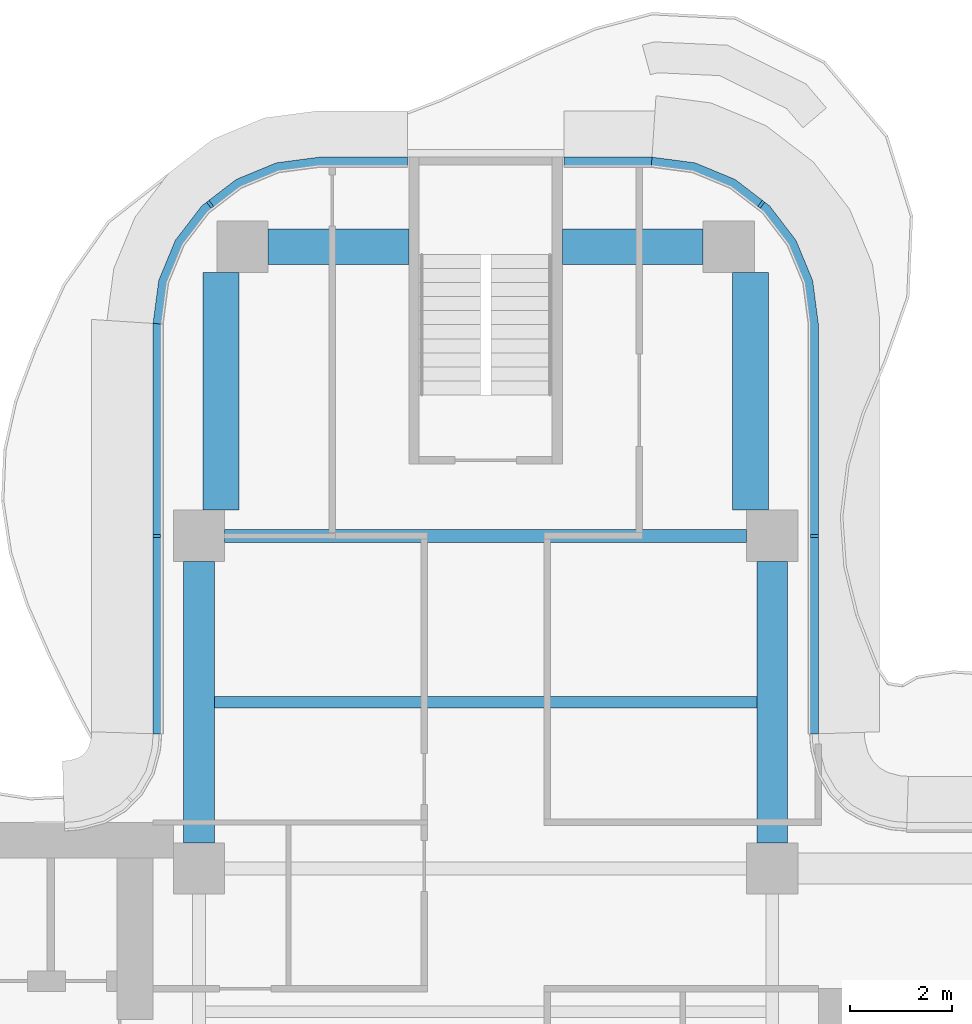
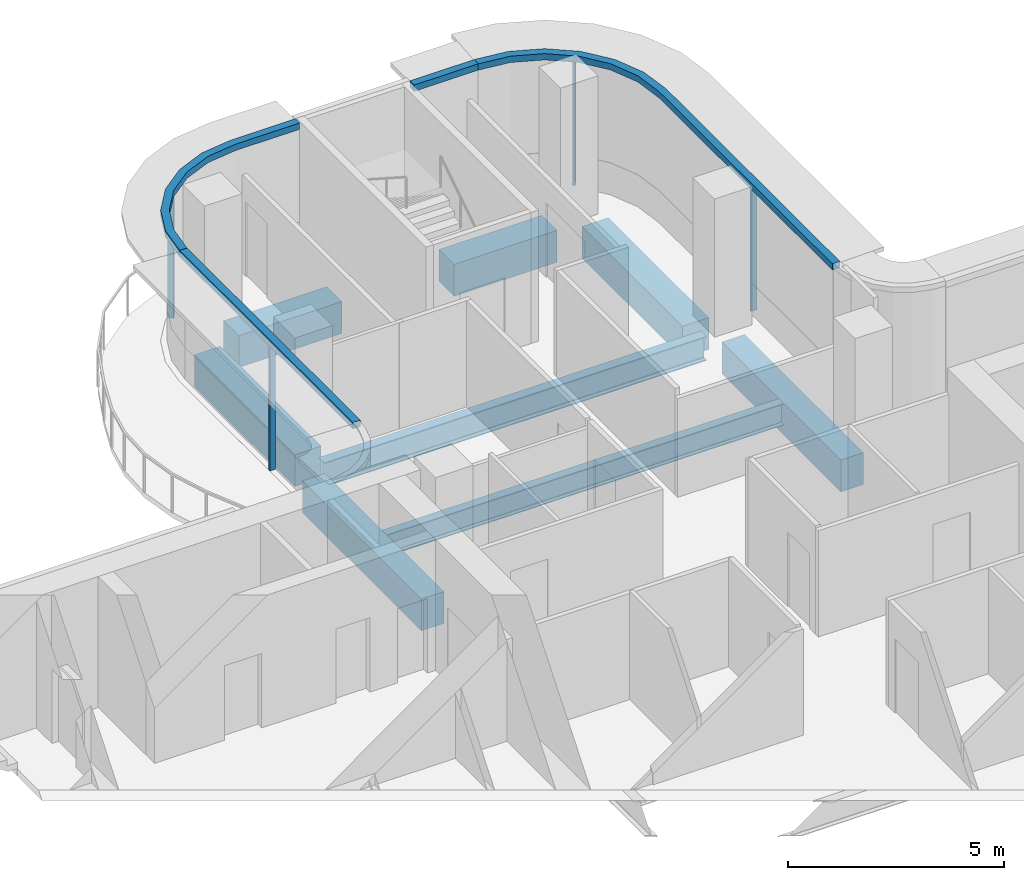
# One storey, part 7 of 16: 8 beams, 8 members, 4 elements without a shape of their own.
"""IFC4 building model written with IfcOpenShell, lengths in metres."""

import ifcopenshell
import ifcopenshell.guid

model = None  # the IFC model being written
_history = None  # IfcOwnerHistory: only IFC2X3 demands one
_inside = {}  # id of a spatial element -> (the spatial element, [elements in it])
_under = {}  # id of a project, library or spatial element -> (it, [spatial elements below it])
_declared = {}  # id of a project -> (the project, [libraries it declares])
_typed = {}  # id of a type object -> (the type object, [elements of that type])
_made_of = {}  # id of a material, layer set ... -> (it, [elements and type objects made of it])


def new_model(schema):
    """Start an empty IFC model of exactly this schema.

    Asked for "IFC4X3", IfcOpenShell would pick the latest addendum, in which some entities
    have other attributes; the version numbers below select the first issue.
    IFC2X3 requires an IfcOwnerHistory on every rooted entity: one is made here for all.
    """
    global model, _history
    if schema == "IFC4X3":
        model = ifcopenshell.file(schema_version=(4, 3, 0, 0))
    else:
        model = ifcopenshell.file(schema=schema)
    _inside.clear()
    _under.clear()
    _declared.clear()
    _typed.clear()
    _made_of.clear()
    _history = None
    if model.schema == "IFC2X3":
        org = make("IfcOrganization", Name="unknown")
        user = make(
            "IfcPersonAndOrganization",
            ThePerson=make("IfcPerson", FamilyName="unknown"),
            TheOrganization=org,
        )
        app = make(
            "IfcApplication",
            ApplicationDeveloper=org,
            Version="unknown",
            ApplicationFullName="unknown",
            ApplicationIdentifier="unknown",
        )
        _history = make(
            "IfcOwnerHistory",
            OwningUser=user,
            OwningApplication=app,
            ChangeAction="ADDED",
            CreationDate=0,
        )
    return model


def make(cls, **values):
    """One entity of the class cls with the attributes given. An attribute that is None is left unset."""
    return model.create_entity(
        cls, **{name: value for name, value in values.items() if value is not None}
    )


def rooted(cls, **values):
    """An entity with a GlobalId (a new one), such as an element, a storey or a relation."""
    return make(cls, GlobalId=ifcopenshell.guid.new(), OwnerHistory=_history, **values)


def si_unit(unit_type, name, prefix=None):
    """IfcSIUnit, for example si_unit("LENGTHUNIT", "METRE", prefix="MILLI")."""
    return make("IfcSIUnit", UnitType=unit_type, Prefix=prefix, Name=name)


def assignment(units):
    """IfcUnitAssignment: the units of a project."""
    return None if units is None else make("IfcUnitAssignment", Units=units)


def point(xyz):
    """IfcCartesianPoint."""
    return None if xyz is None else make("IfcCartesianPoint", Coordinates=xyz)


def direction(xyz):
    """IfcDirection."""
    return None if xyz is None else make("IfcDirection", DirectionRatios=xyz)


def frame(location, z_axis=None, x_axis=None):
    """IfcAxis2Placement3D, a coordinate frame: its origin and axes. An axis left out is left unset."""
    return make(
        "IfcAxis2Placement3D",
        Location=point(location),
        Axis=direction(z_axis),
        RefDirection=direction(x_axis),
    )


def frame_2d(location, x_axis=None):
    """IfcAxis2Placement2D, a coordinate frame in the plane: its origin and x axis."""
    return make(
        "IfcAxis2Placement2D", Location=point(location), RefDirection=direction(x_axis)
    )


def origin():
    """The frame at (0, 0, 0) with its axes left unset."""
    return frame((0.0, 0.0, 0.0))


def origin_2d():
    """The frame at (0, 0) in the plane with its x axis left unset."""
    return frame_2d((0.0, 0.0))


def place(relative_to, where):
    """IfcLocalPlacement: puts the frame where relative to a parent placement (None: the world)."""
    return make(
        "IfcLocalPlacement", PlacementRelTo=relative_to, RelativePlacement=where
    )


def context(
    kind, dimensions, precision=None, world=None, true_north=None, identifier=None
):
    """IfcGeometricRepresentationContext, for example the 3D "Model" context."""
    return make(
        "IfcGeometricRepresentationContext",
        ContextIdentifier=identifier,
        ContextType=kind,
        CoordinateSpaceDimension=dimensions,
        Precision=precision,
        WorldCoordinateSystem=world,
        TrueNorth=true_north,
    )


def subcontext(parent, identifier, kind, view, scale=None):
    """IfcGeometricRepresentationSubContext, for example "Body" below "Model"."""
    return make(
        "IfcGeometricRepresentationSubContext",
        ContextIdentifier=identifier,
        ContextType=kind,
        ParentContext=parent,
        TargetScale=scale,
        TargetView=view,
    )


def project(units=None, contexts=None):
    """IfcProject with its units and contexts."""
    return rooted(
        "IfcProject",
        Name="project",
        RepresentationContexts=contexts,
        UnitsInContext=assignment(units),
    )


def spatial(cls, under=None, at=None, **own):
    """A site, building, storey or space (cls), placed at a placement, below another one or the project."""
    s = rooted(cls, ObjectPlacement=at, **own)
    if under is not None:
        _under.setdefault(under.id(), (under, []))[1].append(s)
    return s


def polyline(points):
    """IfcPolyline through the points."""
    return make("IfcPolyline", Points=[point(p) for p in points])


def profile(cls, at=None, kind="AREA", **sizes):
    """A parametric profile (cls). Its sizes go by their IFC names, for example OverallWidth=200.0."""
    return make(cls, ProfileType=kind, Position=at, **sizes)


def rectangle(**sizes):
    """IfcRectangleProfileDef."""
    return profile("IfcRectangleProfileDef", **sizes)


def i_section(**sizes):
    """IfcIShapeProfileDef."""
    return profile("IfcIShapeProfileDef", **sizes)


def outline(outer, holes=None, kind="AREA"):
    """IfcArbitraryClosedProfileDef: a profile drawn as a closed curve; with holes, ...WithVoids."""
    if holes is None:
        return make("IfcArbitraryClosedProfileDef", ProfileType=kind, OuterCurve=outer)
    return make(
        "IfcArbitraryProfileDefWithVoids",
        ProfileType=kind,
        OuterCurve=outer,
        InnerCurves=holes,
    )


def extrude(swept, where, along, depth):
    """IfcExtrudedAreaSolid: the profile swept, set in the frame where, extruded along a direction by depth."""
    return make(
        "IfcExtrudedAreaSolid",
        SweptArea=swept,
        Position=where,
        ExtrudedDirection=direction(along),
        Depth=depth,
    )


def shape(context_of_items, identifier, shape_type, items):
    """IfcShapeRepresentation: the items that make up one representation, for example the "Body"."""
    return make(
        "IfcShapeRepresentation",
        ContextOfItems=context_of_items,
        RepresentationIdentifier=identifier,
        RepresentationType=shape_type,
        Items=items,
    )


def source(mapping_origin, context_of_items, identifier, shape_type, items):
    """IfcRepresentationMap: a shape defined once, which mapped items show again and again."""
    return make(
        "IfcRepresentationMap",
        MappingOrigin=mapping_origin,
        MappedRepresentation=shape(context_of_items, identifier, shape_type, items),
    )


def transform(
    local_origin,
    x_axis=None,
    y_axis=None,
    z_axis=None,
    scale=None,
    scale2=None,
    scale3=None,
    uniform=True,
):
    """IfcCartesianTransformationOperator3D, or its non-uniform kind. x_axis, y_axis, z_axis: its Axis1, 2, 3."""
    if uniform:
        return make(
            "IfcCartesianTransformationOperator3D",
            Axis1=direction(x_axis),
            Axis2=direction(y_axis),
            LocalOrigin=point(local_origin),
            Scale=scale,
            Axis3=direction(z_axis),
        )
    return make(
        "IfcCartesianTransformationOperator3DnonUniform",
        Axis1=direction(x_axis),
        Axis2=direction(y_axis),
        LocalOrigin=point(local_origin),
        Scale=scale,
        Axis3=direction(z_axis),
        Scale2=scale2,
        Scale3=scale3,
    )


def mapped(mapping_source, mapping_target):
    """IfcMappedItem: shows the shape of a source again, moved by a transform."""
    return make(
        "IfcMappedItem", MappingSource=mapping_source, MappingTarget=mapping_target
    )


def material(Name=None, Category=None):
    """IfcMaterial."""
    return make("IfcMaterial", Name=Name, Category=Category)


def layer(
    of_material, thickness, ventilated=None, Name=None, Category=None, Priority=None
):
    """IfcMaterialLayer: one layer of a wall or slab, of a material (None: an air gap)."""
    return make(
        "IfcMaterialLayer",
        Material=of_material,
        LayerThickness=thickness,
        IsVentilated=ventilated,
        Name=Name,
        Category=Category,
        Priority=Priority,
    )


def layer_set(layers, Name=None):
    """IfcMaterialLayerSet."""
    return make("IfcMaterialLayerSet", MaterialLayers=layers, LayerSetName=Name)


def material_profile(
    of_material, cross_section, Name=None, Category=None, Priority=None
):
    """IfcMaterialProfile: a cross section and its material."""
    return make(
        "IfcMaterialProfile",
        Name=Name,
        Material=of_material,
        Profile=cross_section,
        Priority=Priority,
        Category=Category,
    )


def profile_set(profiles, Name=None, composite=None):
    """IfcMaterialProfileSet."""
    return make(
        "IfcMaterialProfileSet",
        Name=Name,
        MaterialProfiles=profiles,
        CompositeProfile=composite,
    )


def made_of(thing, what):
    """Note that an element or type object is made of a material, layer set ...; save() writes the relation."""
    if what is not None:
        _made_of.setdefault(what.id(), (what, []))[1].append(thing)
    return thing


def type_object(cls, material=None, **own):
    """A type object (cls), such as IfcWallType, which elements share."""
    return made_of(rooted(cls, **own), material)


def element(
    cls,
    number,
    at=None,
    inside=None,
    cuts=None,
    type_object=None,
    material=None,
    context=None,
    identifier="Body",
    shape_type=None,
    held_by="IfcProductDefinitionShape",
    body=None,
    shapes=None,
    **own,
):
    """One element of the class cls, such as IfcWall. Its Tag is "e" and its number.

    at: its placement. inside: the storey or other place that contains it. cuts: it is an
    opening in that element (IfcRelVoidsElement). A single representation is given by context,
    identifier, shape_type and body (its items); several are given by shapes. held_by: the class
    of the entity that holds the representations. save() writes the other relations.
    """
    e = rooted(cls, Tag="e%d" % number, ObjectPlacement=at, **own)
    if body is not None:
        shapes = [shape(context, identifier, shape_type, body)]
    if shapes is not None:
        e.Representation = make(held_by, Representations=shapes)
    if inside is not None:
        _inside.setdefault(inside.id(), (inside, []))[1].append(e)
    if cuts is not None:
        rooted(
            "IfcRelVoidsElement", RelatingBuildingElement=cuts, RelatedOpeningElement=e
        )
    if type_object is not None:
        _typed.setdefault(type_object.id(), (type_object, []))[1].append(e)
    return made_of(e, material)


def aggregate(whole, parts):
    """IfcRelAggregates: a whole, such as a stair, and the parts it consists of."""
    return rooted("IfcRelAggregates", RelatingObject=whole, RelatedObjects=parts)


def save(model, path):
    """Write the relations noted so far, then the file.

    IfcRelAggregates (storeys below a building ...), IfcRelContainedInSpatialStructure (elements
    in a storey), IfcRelDefinesByType, IfcRelAssociatesMaterial and IfcRelDeclares: one each for
    every whole, place, type object, material and project.
    """
    for whole, parts in _under.values():
        aggregate(whole, parts)
    for where, things in _inside.values():
        rooted(
            "IfcRelContainedInSpatialStructure",
            RelatedElements=things,
            RelatingStructure=where,
        )
    for kind, things in _typed.values():
        rooted("IfcRelDefinesByType", RelatedObjects=things, RelatingType=kind)
    for what, things in _made_of.values():
        rooted("IfcRelAssociatesMaterial", RelatedObjects=things, RelatingMaterial=what)
    for by, libraries in _declared.values():
        rooted("IfcRelDeclares", RelatingContext=by, RelatedDefinitions=libraries)
    model.write(path)


model = new_model("IFC4")

# Units and contexts
model_context = context("Model", 3, precision=1e-05, world=origin(), true_north=direction((0.0, 1.0)))
body_context = subcontext(model_context, "Body", "Model", "MODEL_VIEW")
ifc_project = project(units=[si_unit("LENGTHUNIT", "METRE"), si_unit("AREAUNIT", "SQUARE_METRE"), si_unit("VOLUMEUNIT", "CUBIC_METRE"), si_unit("PLANEANGLEUNIT", "RADIAN"), si_unit("MASSUNIT", "GRAM", prefix="KILO")], contexts=[model_context])

# Site, building, storey
site_placement = place(None, origin())
site = spatial("IfcSite", under=ifc_project, at=site_placement, CompositionType="ELEMENT")
building_placement = place(site_placement, origin())
building = spatial("IfcBuilding", under=site, at=building_placement, Name="Trellis Farm Tower", CompositionType="ELEMENT")
storey_placement = place(building_placement, frame((0.0, 0.0, 306.699951171875)))
storey = spatial("IfcBuildingStorey", under=building, at=storey_placement, Name="L69", CompositionType="ELEMENT", Elevation=306.699951171875)

# Beams
ifc_material_1 = material(Name="Steel S355", Category="steel")
ifc_material_profile_1 = material_profile(ifc_material_1, i_section(OverallWidth=0.22900390625, OverallDepth=0.6123046875, WebThickness=0.011962890625, FlangeThickness=0.01953125, FilletRadius=0.0126953125, at=origin_2d()), Name="UB 610x229x125")
ifc_profile_set_1 = profile_set([ifc_material_profile_1], Name="Steel S355")
beam_type_1 = type_object("IfcBeamType", Name="UB 610x229x125 joist", PredefinedType="JOIST", material=ifc_profile_set_1)
shared_shape_1 = source(origin(), body_context, "Body", "SweptSolid", [
    extrude(i_section(OverallWidth=0.22900390625, OverallDepth=0.6123046875, WebThickness=0.011962890625, FlangeThickness=0.01953125, FilletRadius=0.0126953125, at=origin_2d()), origin(), (0.0, 0.0, 1.0), 10.60009765625),
])
beam_1_placement = place(storey_placement, frame((-5.300048828125, 8.85009765625, -0.506103515625), z_axis=(1.0, 0.0, 0.0), x_axis=(0.0, 1.0, 0.0)))
element("IfcBeam", 1, at=beam_1_placement, inside=storey, type_object=beam_type_1, Name="Floor beam", PredefinedType="JOIST", context=body_context, shape_type="MappedRepresentation", body=[
    mapped(shared_shape_1, transform((0.0, 0.0, 0.0))),
])
ifc_material_profile_2 = material_profile(ifc_material_1, i_section(OverallWidth=0.253662109375, OverallDepth=0.68359375, WebThickness=0.012451171875, FlangeThickness=0.021728515625, FilletRadius=0.01513671875, at=origin_2d()), Name="UB 686x254x140")
ifc_profile_set_2 = profile_set([ifc_material_profile_2], Name="Steel S355")
beam_type_2 = type_object("IfcBeamType", Name="UB 686x254x140", PredefinedType="BEAM", material=ifc_profile_set_2)
shared_shape_2 = source(origin(), body_context, "Body", "SweptSolid", [
    extrude(i_section(OverallWidth=0.253662109375, OverallDepth=0.68359375, WebThickness=0.012451171875, FlangeThickness=0.021728515625, FilletRadius=0.01513671875, at=origin_2d()), origin(), (0.0, 0.0, 1.0), 10.2001953125),
])
beam_2_placement = place(storey_placement, frame((-5.10009765625, 12.10009765625, -0.541748046875), z_axis=(1.0, 0.0, 0.0), x_axis=(0.0, 1.0, 0.0)))
element("IfcBeam", 2, at=beam_2_placement, inside=storey, type_object=beam_type_2, Name="Girder", PredefinedType="BEAM", context=body_context, shape_type="MappedRepresentation", body=[
    mapped(shared_shape_2, transform((0.0, 0.0, 0.0))),
])
ifc_material_2 = material(Name="Concrete C60/75", Category="concrete")
ifc_material_profile_3 = material_profile(ifc_material_2, rectangle(XDim=0.60009765625, YDim=0.89990234375, at=origin_2d()), Name="RC spandrel beam 600x900 C60/75")
ifc_profile_set_3 = profile_set([ifc_material_profile_3], Name="Concrete C60/75")
beam_type_3 = type_object("IfcBeamType", Name="RC spandrel beam 600x900 C60/75", PredefinedType="SPANDREL", material=ifc_profile_set_3)
shared_shape_3 = source(origin(), body_context, "Body", "SweptSolid", [
    extrude(rectangle(XDim=0.60009765625, YDim=0.89990234375, at=origin_2d()), origin(), (0.0, 0.0, 1.0), 5.5),
])
for number, where, z_axis, x_axis, name in (
    (3, (-5.60009765625, 6.10009765625, -0.64990234375), (0.0, 1.0, 0.0), (-1.0, 0.0, 0.0), "Girder"),
    (4, (5.60009765625, 6.10009765625, -0.64990234375), (0.0, 1.0, 0.0), (-1.0, 0.0, 0.0), "Girder"),
):
    element("IfcBeam", number, at=place(storey_placement, frame(where, z_axis=z_axis, x_axis=x_axis)), inside=storey, type_object=beam_type_3, Name=name, PredefinedType="SPANDREL", context=body_context, shape_type="MappedRepresentation", body=[
        mapped(shared_shape_3, transform((0.0, 0.0, 0.0))),
    ])
ifc_material_profile_4 = material_profile(ifc_material_2, rectangle(XDim=0.699951171875, YDim=0.89990234375, at=origin_2d()), Name="RC spandrel beam 700x900 C60/75")
ifc_profile_set_4 = profile_set([ifc_material_profile_4], Name="Concrete C60/75")
beam_type_4 = type_object("IfcBeamType", Name="RC spandrel beam 700x900 C60/75", PredefinedType="SPANDREL", material=ifc_profile_set_4)
shared_shape_4 = source(origin(), body_context, "Body", "SweptSolid", [
    extrude(rectangle(XDim=0.699951171875, YDim=0.89990234375, at=origin_2d()), origin(), (0.0, 0.0, 1.0), 4.64990234375),
])
for number, where, z_axis, x_axis, name in (
    (5, (-5.175048828125, 12.60009765625, -0.64990234375), (0.0, 1.0, 0.0), (-1.0, 0.0, 0.0), "Girder"),
    (6, (5.175048828125, 12.60009765625, -0.64990234375), (0.0, 1.0, 0.0), (-1.0, 0.0, 0.0), "Girder"),
):
    element("IfcBeam", number, at=place(storey_placement, frame(where, z_axis=z_axis, x_axis=x_axis)), inside=storey, type_object=beam_type_4, Name=name, PredefinedType="SPANDREL", context=body_context, shape_type="MappedRepresentation", body=[
        mapped(shared_shape_4, transform((0.0, 0.0, 0.0))),
    ])
shared_shape_5 = source(origin(), body_context, "Body", "SweptSolid", [
    extrude(rectangle(XDim=0.699951171875, YDim=0.89990234375, at=origin_2d()), origin(), (0.0, 0.0, 1.0), 2.75),
])
for number, where, z_axis, x_axis, name in (
    (7, (-4.25, 17.75, -0.64990234375), (1.0, 0.0, 0.0), (0.0, 1.0, 0.0), "Girder"),
    (8, (1.5, 17.75, -0.64990234375), (1.0, 0.0, 0.0), (0.0, 1.0, 0.0), "Girder"),
):
    element("IfcBeam", number, at=place(storey_placement, frame(where, z_axis=z_axis, x_axis=x_axis)), inside=storey, type_object=beam_type_4, Name=name, PredefinedType="SPANDREL", context=body_context, shape_type="MappedRepresentation", body=[
        mapped(shared_shape_5, transform((0.0, 0.0, 0.0))),
    ])

# Curtain wall, members
ifc_material_3 = material(Name="Aluminium and glass curtain wall", Category="aluminium")
ifc_layer_1 = layer(ifc_material_3, 0.18994140625)
ifc_layer_set_1 = layer_set([ifc_layer_1], Name="RIBBON CURTAIN WALL CW1")
curtain_wall_type = type_object("IfcCurtainWallType", Name="RIBBON CURTAIN WALL CW1", PredefinedType="NOTDEFINED", material=ifc_layer_set_1)
placement_1 = place(storey_placement, origin())
curtain_wall_1 = element("IfcCurtainWall", 9, at=placement_1, inside=storey, type_object=curtain_wall_type, Name="CW1 009", PredefinedType="NOTDEFINED")
ifc_material_4 = material(Name="Aluminium extrusion 6063-T6", Category="aluminium")
ifc_material_profile_5 = material_profile(ifc_material_4, rectangle(XDim=0.06005859375, YDim=0.14990234375, at=origin_2d()), Name="MULLION 60x150")
ifc_profile_set_5 = profile_set([ifc_material_profile_5], Name="Aluminium extrusion 6063-T6")
member_type_1 = type_object("IfcMemberType", Name="CW1 MULLION 60x150", PredefinedType="MULLION", material=ifc_profile_set_5)
shared_shape_6 = source(origin(), body_context, "Body", "SweptSolid", [
    extrude(rectangle(XDim=0.06005859375, YDim=0.14990234375, at=origin_2d()), origin(), (0.0, 0.0, 1.0), 3.52001953125),
])
member_1_placement = place(storey_placement, frame((6.425048828125, 12.10009765625, 0.0), z_axis=(0.0, 0.0, 1.0), x_axis=(0.0, 1.0, 0.0)))
member_1 = element("IfcMember", 10, at=member_1_placement, type_object=member_type_1, Name="MU1 009-01", PredefinedType="MULLION", context=body_context, shape_type="MappedRepresentation", body=[
    mapped(shared_shape_6, transform((0.0, 0.0, 0.0))),
])
member_2_placement = place(storey_placement, frame((5.385498046875, 18.578369140625, 0.0), z_axis=(0.0, 0.0, 1.0), x_axis=(-0.793353340291, 0.608761429009, 0.0)))
member_2 = element("IfcMember", 11, at=member_2_placement, type_object=member_type_1, Name="MU1 009-02", PredefinedType="MULLION", context=body_context, shape_type="MappedRepresentation", body=[
    mapped(shared_shape_6, transform((0.0, 0.0, 0.0))),
])

# Curtain wall, member
curtain_wall_2 = element("IfcCurtainWall", 12, at=placement_1, inside=storey, type_object=curtain_wall_type, Name="CW1 011", PredefinedType="NOTDEFINED")
member_3_placement = place(storey_placement, frame((-5.385498046875, 18.578369140625, 0.0), z_axis=(0.0, 0.0, 1.0), x_axis=(-0.793353340291, -0.608761429009, 0.0)))
member_3 = element("IfcMember", 13, at=member_3_placement, type_object=member_type_1, Name="MU1 011-01", PredefinedType="MULLION", context=body_context, shape_type="MappedRepresentation", body=[
    mapped(shared_shape_6, transform((0.0, 0.0, 0.0))),
])

curtain_wall_3 = element("IfcCurtainWall", 14, at=placement_1, inside=storey, type_object=curtain_wall_type, Name="CW1 012", PredefinedType="NOTDEFINED")
member_4_placement = place(storey_placement, frame((-6.425048828125, 12.10009765625, 0.0), z_axis=(0.0, 0.0, 1.0), x_axis=(0.0, -1.0, 0.0)))
member_4 = element("IfcMember", 15, at=member_4_placement, type_object=member_type_1, Name="MU1 012-01", PredefinedType="MULLION", context=body_context, shape_type="MappedRepresentation", body=[
    mapped(shared_shape_6, transform((0.0, 0.0, 0.0))),
])

# Member
ifc_layer_2 = layer(ifc_material_4, 0.199951171875)
ifc_layer_set_2 = layer_set([ifc_layer_2], Name="Aluminium extrusion 6063-T6")
member_type_2 = type_object("IfcMemberType", Name="CW1 TRANSOM 200x180", PredefinedType="USERDEFINED", material=ifc_layer_set_2)
shared_shape_7 = source(origin(), body_context, "Body", "SweptSolid", [
    extrude(outline(polyline([(6.5, 8.2314453125), (6.5, 16.25), (6.38916015625, 17.091064453125), (6.064697265625, 17.875), (5.548095703125, 18.548095703125), (4.875, 19.064697265625), (4.091064453125, 19.38916015625), (3.25, 19.5), (3.23681640625, 19.300048828125), (4.0390625, 19.1943359375), (4.774169921875, 18.889892578125), (5.405517578125, 18.405517578125), (5.889892578125, 17.774169921875), (6.1943359375, 17.0390625), (6.300048828125, 16.23681640625), (6.300048828125, 8.224853515625), (6.5, 8.2314453125)])), origin(), (0.0, 0.0, 1.0), 0.179931640625),
])
placement_2 = place(storey_placement, frame((0.0, 0.0, 3.52001953125)))
member_5 = element("IfcMember", 16, at=placement_2, type_object=member_type_2, Name="TR1 009", ObjectType="TRANSOM", PredefinedType="USERDEFINED", context=body_context, shape_type="MappedRepresentation", body=[
    mapped(shared_shape_7, transform((0.0, 0.0, 0.0))),
])

aggregate(curtain_wall_1, [member_1, member_2, member_5])

# Curtain wall, member
curtain_wall_4 = element("IfcCurtainWall", 17, at=placement_1, inside=storey, type_object=curtain_wall_type, Name="CW1 010", PredefinedType="NOTDEFINED")
shared_shape_8 = source(origin(), body_context, "Body", "SweptSolid", [
    extrude(outline(polyline([(3.25, 19.5), (1.530029296875, 19.5), (1.530029296875, 19.300048828125), (3.23681640625, 19.300048828125), (3.25, 19.5)])), origin(), (0.0, 0.0, 1.0), 0.179931640625),
])
member_6 = element("IfcMember", 18, at=placement_2, type_object=member_type_2, Name="TR1 010", ObjectType="TRANSOM", PredefinedType="USERDEFINED", context=body_context, shape_type="MappedRepresentation", body=[
    mapped(shared_shape_8, transform((0.0, 0.0, 0.0))),
])
aggregate(curtain_wall_4, [member_6])

# Member
shared_shape_9 = source(origin(), body_context, "Body", "SweptSolid", [
    extrude(outline(polyline([(-6.5, 16.25), (-6.5, 8.2314453125), (-6.300048828125, 8.224853515625), (-6.300048828125, 16.23681640625), (-6.5, 16.25)])), origin(), (0.0, 0.0, 1.0), 0.179931640625),
])
member_7 = element("IfcMember", 19, at=placement_2, type_object=member_type_2, Name="TR1 012", ObjectType="TRANSOM", PredefinedType="USERDEFINED", context=body_context, shape_type="MappedRepresentation", body=[
    mapped(shared_shape_9, transform((0.0, 0.0, 0.0))),
])

aggregate(curtain_wall_3, [member_4, member_7])

shared_shape_10 = source(origin(), body_context, "Body", "SweptSolid", [
    extrude(outline(polyline([(-1.530029296875, 19.5), (-3.25, 19.5), (-4.091064453125, 19.38916015625), (-4.875, 19.064697265625), (-5.548095703125, 18.548095703125), (-6.064697265625, 17.875), (-6.38916015625, 17.091064453125), (-6.5, 16.25), (-6.300048828125, 16.23681640625), (-6.1943359375, 17.0390625), (-5.889892578125, 17.774169921875), (-5.405517578125, 18.405517578125), (-4.774169921875, 18.889892578125), (-4.0390625, 19.1943359375), (-3.23681640625, 19.300048828125), (-1.530029296875, 19.300048828125), (-1.530029296875, 19.5)])), origin(), (0.0, 0.0, 1.0), 0.179931640625),
])
member_8 = element("IfcMember", 20, at=placement_2, type_object=member_type_2, Name="TR1 011", ObjectType="TRANSOM", PredefinedType="USERDEFINED", context=body_context, shape_type="MappedRepresentation", body=[
    mapped(shared_shape_10, transform((0.0, 0.0, 0.0))),
])

aggregate(curtain_wall_2, [member_3, member_8])

save(model, "model.ifc")
